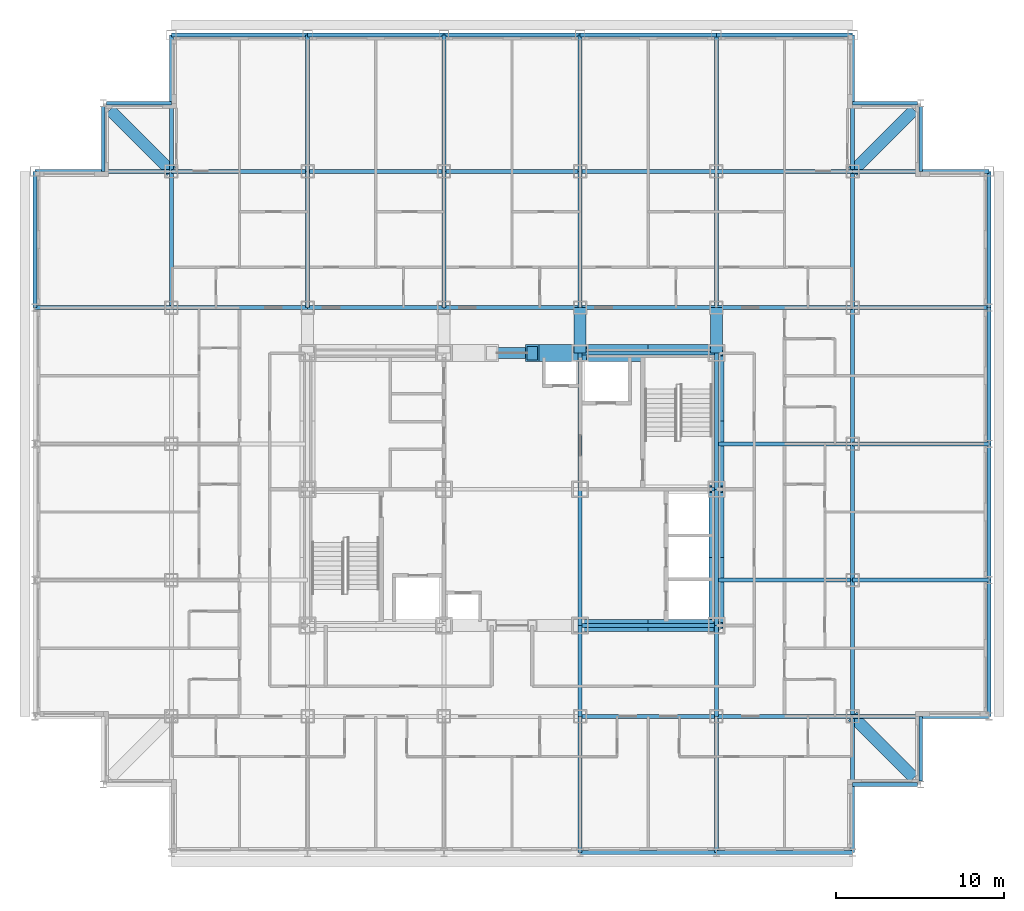
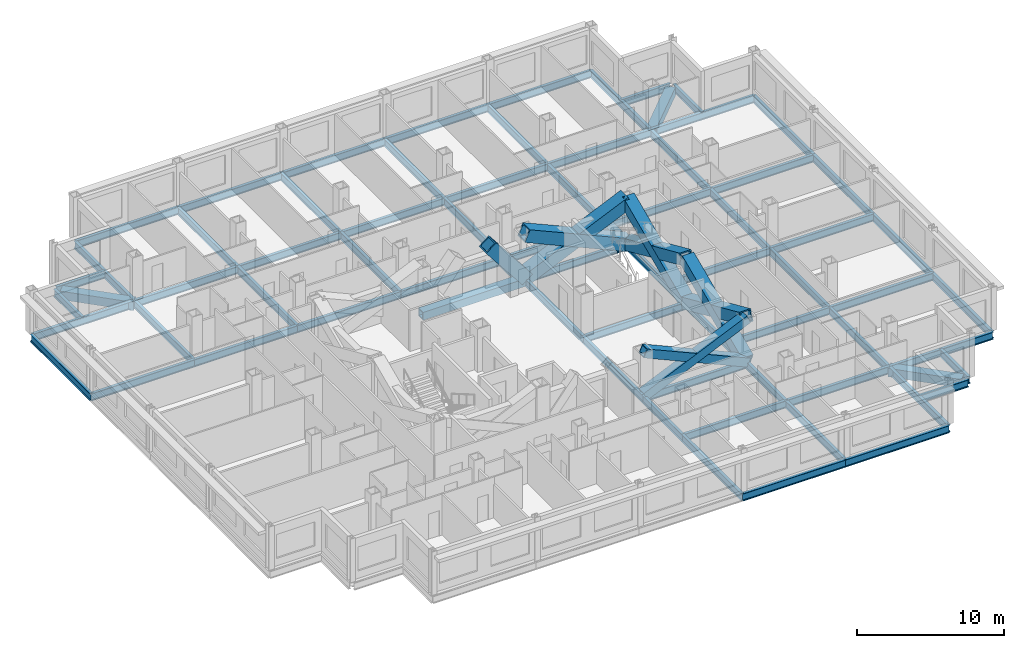
# One storey, part 2 of 12: 72 beams, 9 members.
"""IFC4 building model written with IfcOpenShell, lengths in metres."""

from ifc_helpers import new_model, si_unit, direction, frame, origin, origin_2d, place, context, subcontext, project, spatial, hollow_rectangle, i_section, extrude, material, material_profile, profile_set, type_object, element, save


model = new_model("IFC4")

# Units and contexts
model_context = context("Model", 3, precision=1e-05, world=origin(), true_north=direction((0.0, 1.0)))
body_context = subcontext(model_context, "Body", "Model", "MODEL_VIEW")
ifc_project = project(units=[si_unit("LENGTHUNIT", "METRE"), si_unit("AREAUNIT", "SQUARE_METRE"), si_unit("VOLUMEUNIT", "CUBIC_METRE"), si_unit("PLANEANGLEUNIT", "RADIAN"), si_unit("MASSUNIT", "GRAM", prefix="KILO")], contexts=[model_context])

# Site, building, storey
site_placement = place(None, origin())
site = spatial("IfcSite", under=ifc_project, at=site_placement, CompositionType="ELEMENT")
building_placement = place(site_placement, origin())
building = spatial("IfcBuilding", under=site, at=building_placement, Name="Kopane Lantern Tower", CompositionType="ELEMENT")
storey_placement = place(building_placement, frame((0.0, 0.0, 174.0)))
storey = spatial("IfcBuildingStorey", under=building, at=storey_placement, Name="L44", CompositionType="ELEMENT", Elevation=174.0)

# Members
ifc_material_1 = material(Name="Steel S355JR", Category="steel")
ifc_material_profile_1 = material_profile(ifc_material_1, hollow_rectangle(XDim=1.0, YDim=1.0, WallThickness=0.10009765625, at=origin_2d()), Name="BOX 1000x1000x100")
ifc_profile_set_1 = profile_set([ifc_material_profile_1], Name="Steel S355JR")
member_type_1 = type_object("IfcMemberType", Name="BRACE BOX 1000x1000x100", PredefinedType="BRACE", material=ifc_profile_set_1)
member_placement = place(storey_placement, frame((32.39990234375, 40.5, -0.2099609375), z_axis=(-0.620698858423, 0.0, 0.784049059149), x_axis=(0.0, -1.0, 0.0)))
element("IfcMember", 1, at=member_placement, inside=storey, type_object=member_type_1, Name="Core brace L44", PredefinedType="BRACE", context=body_context, shape_type="SweptSolid", body=[
    extrude(hollow_rectangle(XDim=1.0, YDim=1.0, WallThickness=0.10009765625, at=origin_2d()), origin(), (0.0, 0.0, 1.0), 4.59130859375),
])
for number, where, z_axis, x_axis, name in (
    (2, (32.39990234375, 40.5, -0.2099609375), (0.913819498983, 0.0, 0.406120577265), (0.0, 1.0, 0.0), "Core brace L44"),
    (3, (40.5, 40.5, -0.2099609375), (-0.913819498983, 0.0, 0.406120577265), (0.0, -1.0, 0.0), "Core brace L44"),
):
    element("IfcMember", number, at=place(storey_placement, frame(where, z_axis=z_axis, x_axis=x_axis)), inside=storey, type_object=member_type_1, Name=name, PredefinedType="BRACE", context=body_context, shape_type="SweptSolid", body=[
        extrude(hollow_rectangle(XDim=1.0, YDim=1.0, WallThickness=0.10009765625, at=origin_2d()), origin(), (0.0, 0.0, 1.0), 8.864013671875),
    ])
ifc_material_2 = material(Name="Steel S355JR", Category="steel")
ifc_material_profile_2 = material_profile(ifc_material_2, hollow_rectangle(XDim=0.699951171875, YDim=0.699951171875, WallThickness=0.06005859375, at=origin_2d()), Name="BOX 700x700x60")
ifc_profile_set_2 = profile_set([ifc_material_profile_2], Name="Steel S355JR")
member_type_2 = type_object("IfcMemberType", Name="BRACE BOX 700x700x60", PredefinedType="BRACE", material=ifc_profile_set_2)
for number, where, z_axis, x_axis, name in (
    (4, (32.39990234375, 24.300048828125, -0.2099609375), (0.913819498983, 0.0, 0.406120577265), (0.0, 1.0, 0.0), "Core brace L44"),
    (5, (40.5, 24.300048828125, -0.2099609375), (-0.913819498983, 0.0, 0.406120577265), (0.0, -1.0, 0.0), "Core brace L44"),
):
    element("IfcMember", number, at=place(storey_placement, frame(where, z_axis=z_axis, x_axis=x_axis)), inside=storey, type_object=member_type_2, Name=name, PredefinedType="BRACE", context=body_context, shape_type="SweptSolid", body=[
        extrude(hollow_rectangle(XDim=0.699951171875, YDim=0.699951171875, WallThickness=0.06005859375, at=origin_2d()), origin(), (0.0, 0.0, 1.0), 8.864013671875),
    ])
ifc_material_3 = material(Name="Steel S355JR", Category="steel")
ifc_material_profile_3 = material_profile(ifc_material_3, hollow_rectangle(XDim=0.89990234375, YDim=0.89990234375, WallThickness=0.090087890625, at=origin_2d()), Name="BOX 900x900x90")
ifc_profile_set_3 = profile_set([ifc_material_profile_3], Name="Steel S355JR")
member_type_3 = type_object("IfcMemberType", Name="BRACE BOX 900x900x90", PredefinedType="BRACE", material=ifc_profile_set_3)
for number, where, z_axis, x_axis, name in (
    (6, (40.5, 24.300048828125, -0.2099609375), (0.0, 0.913814956047, 0.406130799256), (-1.0, 0.0, 0.0), "Core brace L44"),
    (7, (40.5, 32.39990234375, -0.2099609375), (0.0, -0.913814956047, 0.406130799256), (1.0, 0.0, 0.0), "Core brace L44"),
):
    element("IfcMember", number, at=place(storey_placement, frame(where, z_axis=z_axis, x_axis=x_axis)), inside=storey, type_object=member_type_3, Name=name, PredefinedType="BRACE", context=body_context, shape_type="SweptSolid", body=[
        extrude(hollow_rectangle(XDim=0.89990234375, YDim=0.89990234375, WallThickness=0.090087890625, at=origin_2d()), origin(), (0.0, 0.0, 1.0), 8.86376953125),
    ])
for number, where, z_axis, x_axis, name in (
    (8, (40.5, 32.39990234375, -0.2099609375), (0.0, 0.913819498983, 0.406120577265), (-1.0, 0.0, 0.0), "Core brace L44"),
    (9, (40.5, 40.5, -0.2099609375), (0.0, -0.913819498983, 0.406120577265), (1.0, 0.0, 0.0), "Core brace L44"),
):
    element("IfcMember", number, at=place(storey_placement, frame(where, z_axis=z_axis, x_axis=x_axis)), inside=storey, type_object=member_type_3, Name=name, PredefinedType="BRACE", context=body_context, shape_type="SweptSolid", body=[
        extrude(hollow_rectangle(XDim=0.89990234375, YDim=0.89990234375, WallThickness=0.090087890625, at=origin_2d()), origin(), (0.0, 0.0, 1.0), 8.864013671875),
    ])

# Beams
ifc_material_4 = material(Name="Steel S355JR", Category="steel")
ifc_material_profile_4 = material_profile(ifc_material_4, i_section(OverallWidth=0.22900390625, OverallDepth=0.6123046875, WebThickness=0.011962890625, FlangeThickness=0.01953125, FilletRadius=0.0126953125, at=origin_2d()), Name="UB 610x229x125")
ifc_profile_set_4 = profile_set([ifc_material_profile_4], Name="Steel S355JR")
beam_type_1 = type_object("IfcBeamType", Name="CORE BEAM UB 610x229x125", PredefinedType="BEAM", material=ifc_profile_set_4)
beam_1_placement = place(storey_placement, frame((32.39990234375, 24.300048828125, -0.51611328125), z_axis=(0.0, 1.0, 0.0), x_axis=(-1.0, 0.0, 0.0)))
element("IfcBeam", 10, at=beam_1_placement, inside=storey, type_object=beam_type_1, Name="Core Beam L44", PredefinedType="BEAM", context=body_context, shape_type="SweptSolid", body=[
    extrude(i_section(OverallWidth=0.22900390625, OverallDepth=0.6123046875, WebThickness=0.011962890625, FlangeThickness=0.01953125, FilletRadius=0.0126953125, at=origin_2d()), origin(), (0.0, 0.0, 1.0), 8.099853515625),
])
for number, where, z_axis, x_axis, name in (
    (11, (32.39990234375, 32.39990234375, -0.51611328125), (0.0, 1.0, 0.0), (-1.0, 0.0, 0.0), "Core Beam L44"),
    (12, (32.39990234375, 32.39990234375, -0.51611328125), (1.0, 0.0, 0.0), (0.0, 1.0, 0.0), "Core Beam L44"),
):
    element("IfcBeam", number, at=place(storey_placement, frame(where, z_axis=z_axis, x_axis=x_axis)), inside=storey, type_object=beam_type_1, Name=name, PredefinedType="BEAM", context=body_context, shape_type="SweptSolid", body=[
        extrude(i_section(OverallWidth=0.22900390625, OverallDepth=0.6123046875, WebThickness=0.011962890625, FlangeThickness=0.01953125, FilletRadius=0.0126953125, at=origin_2d()), origin(), (0.0, 0.0, 1.0), 8.10009765625),
    ])
ifc_material_5 = material(Name="Steel S355JR", Category="steel")
ifc_material_profile_5 = material_profile(ifc_material_5, hollow_rectangle(XDim=0.699951171875, YDim=0.699951171875, WallThickness=0.06005859375, at=origin_2d()), Name="BOX 700x700x60")
ifc_profile_set_5 = profile_set([ifc_material_profile_5], Name="Steel S355JR")
beam_type_2 = type_object("IfcBeamType", Name="CORNER TIE BEAM BOX 700x700x60", PredefinedType="BEAM", material=ifc_profile_set_5)
for number, where, z_axis, x_axis, name in (
    (13, (4.447509765625, 54.952392578125, -0.56005859375), (0.70713041325, -0.707083148333, 0.0), (0.707083148333, 0.70713041325, 0.0), "Corner Tie Beam L44"),
    (14, (52.25244140625, 15.24755859375, -0.56005859375), (-0.707106781187, 0.707106781187, 0.0), (-0.707106781187, -0.707106781187, 0.0), "Corner Tie Beam L44"),
    (15, (52.25244140625, 54.952392578125, -0.56005859375), (-0.707106781187, -0.707106781187, 0.0), (0.707106781187, -0.707106781187, 0.0), "Corner Tie Beam L44"),
):
    element("IfcBeam", number, at=place(storey_placement, frame(where, z_axis=z_axis, x_axis=x_axis)), inside=storey, type_object=beam_type_2, Name=name, PredefinedType="BEAM", context=body_context, shape_type="SweptSolid", body=[
        extrude(hollow_rectangle(XDim=0.699951171875, YDim=0.699951171875, WallThickness=0.06005859375, at=origin_2d()), origin(), (0.0, 0.0, 1.0), 5.165283203125),
    ])
ifc_material_6 = material(Name="Steel S355JR", Category="steel")
ifc_material_profile_6 = material_profile(ifc_material_6, i_section(OverallWidth=0.22900390625, OverallDepth=0.6123046875, WebThickness=0.011962890625, FlangeThickness=0.01953125, FilletRadius=0.0126953125, at=origin_2d()), Name="UB 610x229x125")
ifc_profile_set_6 = profile_set([ifc_material_profile_6], Name="Steel S355JR")
beam_type_3 = type_object("IfcBeamType", Name="EDGE BEAM UB 610x229x125", PredefinedType="BEAM", material=ifc_profile_set_6)
beam_2_placement = place(storey_placement, frame((4.050048828125, 55.146484375, -0.51611328125), z_axis=(0.0, -1.0, 0.0), x_axis=(1.0, 0.0, 0.0)))
element("IfcBeam", 16, at=beam_2_placement, inside=storey, type_object=beam_type_3, Name="Edge Beam L44", PredefinedType="BEAM", context=body_context, shape_type="SweptSolid", body=[
    extrude(i_section(OverallWidth=0.22900390625, OverallDepth=0.6123046875, WebThickness=0.011962890625, FlangeThickness=0.01953125, FilletRadius=0.0126953125, at=origin_2d()), origin(), (0.0, 0.0, 1.0), 3.846435546875),
])
beam_3_placement = place(storey_placement, frame((4.25341796875, 55.35009765625, -0.51611328125), z_axis=(1.0, 0.0, 0.0), x_axis=(0.0, 1.0, 0.0)))
element("IfcBeam", 17, at=beam_3_placement, inside=storey, type_object=beam_type_3, Name="Edge Beam L44", PredefinedType="BEAM", context=body_context, shape_type="SweptSolid", body=[
    extrude(i_section(OverallWidth=0.22900390625, OverallDepth=0.6123046875, WebThickness=0.011962890625, FlangeThickness=0.01953125, FilletRadius=0.0126953125, at=origin_2d()), origin(), (0.0, 0.0, 1.0), 3.8466796875),
])
for number, where, z_axis, x_axis, name in (
    (18, (52.446533203125, 14.85009765625, -0.51611328125), (-1.0, 0.0, 0.0), (0.0, -1.0, 0.0), "Edge Beam L44"),
    (19, (52.446533203125, 55.35009765625, -0.51611328125), (-1.0, 0.0, 0.0), (0.0, -1.0, 0.0), "Edge Beam L44"),
    (20, (52.64990234375, 15.053466796875, -0.51611328125), (0.0, 1.0, 0.0), (-1.0, 0.0, 0.0), "Edge Beam L44"),
    (21, (52.64990234375, 55.146484375, -0.51611328125), (0.0, -1.0, 0.0), (1.0, 0.0, 0.0), "Edge Beam L44"),
):
    element("IfcBeam", number, at=place(storey_placement, frame(where, z_axis=z_axis, x_axis=x_axis)), inside=storey, type_object=beam_type_3, Name=name, PredefinedType="BEAM", context=body_context, shape_type="SweptSolid", body=[
        extrude(i_section(OverallWidth=0.22900390625, OverallDepth=0.6123046875, WebThickness=0.011962890625, FlangeThickness=0.01953125, FilletRadius=0.0126953125, at=origin_2d()), origin(), (0.0, 0.0, 1.0), 3.846435546875),
    ])
ifc_material_7 = material(Name="Steel S355JR", Category="steel")
ifc_material_profile_7 = material_profile(ifc_material_7, hollow_rectangle(XDim=0.699951171875, YDim=0.699951171875, WallThickness=0.06005859375, at=origin_2d()), Name="BOX 700x700x60")
ifc_profile_set_7 = profile_set([ifc_material_profile_7], Name="Steel S355JR")
beam_type_4 = type_object("IfcBeamType", Name="GIRDER BOX 700x700x60", PredefinedType="BEAM", material=ifc_profile_set_7)
for number, where, z_axis, x_axis, name in (
    (22, (32.39990234375, 40.5, -0.56005859375), (0.0, 1.0, 0.0), (-1.0, 0.0, 0.0), "Girder L44"),
    (23, (40.5, 40.5, -0.56005859375), (0.0, 1.0, 0.0), (-1.0, 0.0, 0.0), "Girder L44"),
):
    element("IfcBeam", number, at=place(storey_placement, frame(where, z_axis=z_axis, x_axis=x_axis)), inside=storey, type_object=beam_type_4, Name=name, PredefinedType="BEAM", context=body_context, shape_type="SweptSolid", body=[
        extrude(hollow_rectangle(XDim=0.699951171875, YDim=0.699951171875, WallThickness=0.06005859375, at=origin_2d()), origin(), (0.0, 0.0, 1.0), 2.699951171875),
    ])
ifc_material_8 = material(Name="Steel S355JR", Category="steel")
ifc_material_profile_8 = material_profile(ifc_material_8, i_section(OverallWidth=0.22900390625, OverallDepth=0.6123046875, WebThickness=0.011962890625, FlangeThickness=0.01953125, FilletRadius=0.0126953125, at=origin_2d()), Name="UB 610x229x125")
ifc_profile_set_8 = profile_set([ifc_material_profile_8], Name="Steel S355JR")
beam_type_5 = type_object("IfcBeamType", Name="GIRDER UB 610x229x125", PredefinedType="BEAM", material=ifc_profile_set_8)
for number, where, z_axis, x_axis, name in (
    (24, (0.0, 43.199951171875, -0.51611328125), (0.0, 1.0, 0.0), (-1.0, 0.0, 0.0), "Girder L44"),
    (25, (0.0, 43.199951171875, -0.51611328125), (1.0, 0.0, 0.0), (0.0, 1.0, 0.0), "Girder L44"),
    (26, (0.0, 51.300048828125, -0.51611328125), (1.0, 0.0, 0.0), (0.0, 1.0, 0.0), "Girder L44"),
    (27, (8.10009765625, 43.199951171875, -0.51611328125), (0.0, 1.0, 0.0), (-1.0, 0.0, 0.0), "Girder L44"),
):
    element("IfcBeam", number, at=place(storey_placement, frame(where, z_axis=z_axis, x_axis=x_axis)), inside=storey, type_object=beam_type_5, Name=name, PredefinedType="BEAM", context=body_context, shape_type="SweptSolid", body=[
        extrude(i_section(OverallWidth=0.22900390625, OverallDepth=0.6123046875, WebThickness=0.011962890625, FlangeThickness=0.01953125, FilletRadius=0.0126953125, at=origin_2d()), origin(), (0.0, 0.0, 1.0), 8.10009765625),
    ])
for number, where, z_axis, x_axis, name in (
    (28, (8.10009765625, 43.199951171875, -0.51611328125), (1.0, 0.0, 0.0), (0.0, 1.0, 0.0), "Girder L44"),
    (29, (8.10009765625, 51.300048828125, -0.51611328125), (0.0, 1.0, 0.0), (-1.0, 0.0, 0.0), "Girder L44"),
    (30, (8.10009765625, 51.300048828125, -0.51611328125), (1.0, 0.0, 0.0), (0.0, 1.0, 0.0), "Girder L44"),
    (31, (8.10009765625, 59.39990234375, -0.51611328125), (1.0, 0.0, 0.0), (0.0, 1.0, 0.0), "Girder L44"),
):
    element("IfcBeam", number, at=place(storey_placement, frame(where, z_axis=z_axis, x_axis=x_axis)), inside=storey, type_object=beam_type_5, Name=name, PredefinedType="BEAM", context=body_context, shape_type="SweptSolid", body=[
        extrude(i_section(OverallWidth=0.22900390625, OverallDepth=0.6123046875, WebThickness=0.011962890625, FlangeThickness=0.01953125, FilletRadius=0.0126953125, at=origin_2d()), origin(), (0.0, 0.0, 1.0), 8.099853515625),
    ])
for number, where, z_axis, x_axis, name in (
    (32, (16.199951171875, 43.199951171875, -0.51611328125), (0.0, 1.0, 0.0), (-1.0, 0.0, 0.0), "Girder L44"),
    (33, (16.199951171875, 43.199951171875, -0.51611328125), (1.0, 0.0, 0.0), (0.0, 1.0, 0.0), "Girder L44"),
):
    element("IfcBeam", number, at=place(storey_placement, frame(where, z_axis=z_axis, x_axis=x_axis)), inside=storey, type_object=beam_type_5, Name=name, PredefinedType="BEAM", context=body_context, shape_type="SweptSolid", body=[
        extrude(i_section(OverallWidth=0.22900390625, OverallDepth=0.6123046875, WebThickness=0.011962890625, FlangeThickness=0.01953125, FilletRadius=0.0126953125, at=origin_2d()), origin(), (0.0, 0.0, 1.0), 8.10009765625),
    ])
beam_4_placement = place(storey_placement, frame((16.199951171875, 51.300048828125, -0.51611328125), z_axis=(0.0, 1.0, 0.0), x_axis=(-1.0, 0.0, 0.0)))
element("IfcBeam", 34, at=beam_4_placement, inside=storey, type_object=beam_type_5, Name="Girder L44", PredefinedType="BEAM", context=body_context, shape_type="SweptSolid", body=[
    extrude(i_section(OverallWidth=0.22900390625, OverallDepth=0.6123046875, WebThickness=0.011962890625, FlangeThickness=0.01953125, FilletRadius=0.0126953125, at=origin_2d()), origin(), (0.0, 0.0, 1.0), 8.099853515625),
])
for number, where, z_axis, x_axis, name in (
    (35, (16.199951171875, 51.300048828125, -0.51611328125), (1.0, 0.0, 0.0), (0.0, 1.0, 0.0), "Girder L44"),
    (36, (16.199951171875, 59.39990234375, -0.51611328125), (1.0, 0.0, 0.0), (0.0, 1.0, 0.0), "Girder L44"),
    (37, (24.300048828125, 43.199951171875, -0.51611328125), (0.0, 1.0, 0.0), (-1.0, 0.0, 0.0), "Girder L44"),
):
    element("IfcBeam", number, at=place(storey_placement, frame(where, z_axis=z_axis, x_axis=x_axis)), inside=storey, type_object=beam_type_5, Name=name, PredefinedType="BEAM", context=body_context, shape_type="SweptSolid", body=[
        extrude(i_section(OverallWidth=0.22900390625, OverallDepth=0.6123046875, WebThickness=0.011962890625, FlangeThickness=0.01953125, FilletRadius=0.0126953125, at=origin_2d()), origin(), (0.0, 0.0, 1.0), 8.10009765625),
    ])
for number, where, z_axis, x_axis, name in (
    (38, (24.300048828125, 43.199951171875, -0.51611328125), (1.0, 0.0, 0.0), (0.0, 1.0, 0.0), "Girder L44"),
    (39, (24.300048828125, 51.300048828125, -0.51611328125), (0.0, 1.0, 0.0), (-1.0, 0.0, 0.0), "Girder L44"),
    (40, (24.300048828125, 51.300048828125, -0.51611328125), (1.0, 0.0, 0.0), (0.0, 1.0, 0.0), "Girder L44"),
    (41, (24.300048828125, 59.39990234375, -0.51611328125), (1.0, 0.0, 0.0), (0.0, 1.0, 0.0), "Girder L44"),
    (42, (32.39990234375, 10.800048828125, -0.51611328125), (0.0, 1.0, 0.0), (-1.0, 0.0, 0.0), "Girder L44"),
):
    element("IfcBeam", number, at=place(storey_placement, frame(where, z_axis=z_axis, x_axis=x_axis)), inside=storey, type_object=beam_type_5, Name=name, PredefinedType="BEAM", context=body_context, shape_type="SweptSolid", body=[
        extrude(i_section(OverallWidth=0.22900390625, OverallDepth=0.6123046875, WebThickness=0.011962890625, FlangeThickness=0.01953125, FilletRadius=0.0126953125, at=origin_2d()), origin(), (0.0, 0.0, 1.0), 8.099853515625),
    ])
beam_5_placement = place(storey_placement, frame((32.39990234375, 10.800048828125, -0.51611328125), z_axis=(1.0, 0.0, 0.0), x_axis=(0.0, 1.0, 0.0)))
element("IfcBeam", 43, at=beam_5_placement, inside=storey, type_object=beam_type_5, Name="Girder L44", PredefinedType="BEAM", context=body_context, shape_type="SweptSolid", body=[
    extrude(i_section(OverallWidth=0.22900390625, OverallDepth=0.6123046875, WebThickness=0.011962890625, FlangeThickness=0.01953125, FilletRadius=0.0126953125, at=origin_2d()), origin(), (0.0, 0.0, 1.0), 8.10009765625),
])
beam_6_placement = place(storey_placement, frame((32.39990234375, 18.89990234375, -0.51611328125), z_axis=(0.0, 1.0, 0.0), x_axis=(-1.0, 0.0, 0.0)))
element("IfcBeam", 44, at=beam_6_placement, inside=storey, type_object=beam_type_5, Name="Girder L44", PredefinedType="BEAM", context=body_context, shape_type="SweptSolid", body=[
    extrude(i_section(OverallWidth=0.22900390625, OverallDepth=0.6123046875, WebThickness=0.011962890625, FlangeThickness=0.01953125, FilletRadius=0.0126953125, at=origin_2d()), origin(), (0.0, 0.0, 1.0), 5.400146484375),
])
for number, where, z_axis, x_axis, name in (
    (45, (32.39990234375, 18.89990234375, -0.51611328125), (1.0, 0.0, 0.0), (0.0, 1.0, 0.0), "Girder L44"),
    (46, (32.39990234375, 24.300048828125, -0.51611328125), (1.0, 0.0, 0.0), (0.0, 1.0, 0.0), "Girder L44"),
    (47, (32.39990234375, 40.5, -0.51611328125), (1.0, 0.0, 0.0), (0.0, 1.0, 0.0), "Girder L44"),
    (48, (32.39990234375, 43.199951171875, -0.51611328125), (0.0, 1.0, 0.0), (-1.0, 0.0, 0.0), "Girder L44"),
    (49, (32.39990234375, 43.199951171875, -0.51611328125), (1.0, 0.0, 0.0), (0.0, 1.0, 0.0), "Girder L44"),
):
    element("IfcBeam", number, at=place(storey_placement, frame(where, z_axis=z_axis, x_axis=x_axis)), inside=storey, type_object=beam_type_5, Name=name, PredefinedType="BEAM", context=body_context, shape_type="SweptSolid", body=[
        extrude(i_section(OverallWidth=0.22900390625, OverallDepth=0.6123046875, WebThickness=0.011962890625, FlangeThickness=0.01953125, FilletRadius=0.0126953125, at=origin_2d()), origin(), (0.0, 0.0, 1.0), 8.10009765625),
    ])
beam_7_placement = place(storey_placement, frame((32.39990234375, 51.300048828125, -0.51611328125), z_axis=(0.0, 1.0, 0.0), x_axis=(-1.0, 0.0, 0.0)))
element("IfcBeam", 50, at=beam_7_placement, inside=storey, type_object=beam_type_5, Name="Girder L44", PredefinedType="BEAM", context=body_context, shape_type="SweptSolid", body=[
    extrude(i_section(OverallWidth=0.22900390625, OverallDepth=0.6123046875, WebThickness=0.011962890625, FlangeThickness=0.01953125, FilletRadius=0.0126953125, at=origin_2d()), origin(), (0.0, 0.0, 1.0), 8.099853515625),
])
for number, where, z_axis, x_axis, name in (
    (51, (32.39990234375, 51.300048828125, -0.51611328125), (1.0, 0.0, 0.0), (0.0, 1.0, 0.0), "Girder L44"),
    (52, (32.39990234375, 59.39990234375, -0.51611328125), (1.0, 0.0, 0.0), (0.0, 1.0, 0.0), "Girder L44"),
):
    element("IfcBeam", number, at=place(storey_placement, frame(where, z_axis=z_axis, x_axis=x_axis)), inside=storey, type_object=beam_type_5, Name=name, PredefinedType="BEAM", context=body_context, shape_type="SweptSolid", body=[
        extrude(i_section(OverallWidth=0.22900390625, OverallDepth=0.6123046875, WebThickness=0.011962890625, FlangeThickness=0.01953125, FilletRadius=0.0126953125, at=origin_2d()), origin(), (0.0, 0.0, 1.0), 8.10009765625),
    ])
beam_8_placement = place(storey_placement, frame((40.5, 10.800048828125, -0.51611328125), z_axis=(0.0, 1.0, 0.0), x_axis=(-1.0, 0.0, 0.0)))
element("IfcBeam", 53, at=beam_8_placement, inside=storey, type_object=beam_type_5, Name="Girder L44", PredefinedType="BEAM", context=body_context, shape_type="SweptSolid", body=[
    extrude(i_section(OverallWidth=0.22900390625, OverallDepth=0.6123046875, WebThickness=0.011962890625, FlangeThickness=0.01953125, FilletRadius=0.0126953125, at=origin_2d()), origin(), (0.0, 0.0, 1.0), 8.099853515625),
])
beam_9_placement = place(storey_placement, frame((40.5, 10.800048828125, -0.51611328125), z_axis=(1.0, 0.0, 0.0), x_axis=(0.0, 1.0, 0.0)))
element("IfcBeam", 54, at=beam_9_placement, inside=storey, type_object=beam_type_5, Name="Girder L44", PredefinedType="BEAM", context=body_context, shape_type="SweptSolid", body=[
    extrude(i_section(OverallWidth=0.22900390625, OverallDepth=0.6123046875, WebThickness=0.011962890625, FlangeThickness=0.01953125, FilletRadius=0.0126953125, at=origin_2d()), origin(), (0.0, 0.0, 1.0), 8.10009765625),
])
beam_10_placement = place(storey_placement, frame((40.5, 18.89990234375, -0.51611328125), z_axis=(0.0, 1.0, 0.0), x_axis=(-1.0, 0.0, 0.0)))
element("IfcBeam", 55, at=beam_10_placement, inside=storey, type_object=beam_type_5, Name="Girder L44", PredefinedType="BEAM", context=body_context, shape_type="SweptSolid", body=[
    extrude(i_section(OverallWidth=0.22900390625, OverallDepth=0.6123046875, WebThickness=0.011962890625, FlangeThickness=0.01953125, FilletRadius=0.0126953125, at=origin_2d()), origin(), (0.0, 0.0, 1.0), 5.400146484375),
])
beam_11_placement = place(storey_placement, frame((40.5, 18.89990234375, -0.51611328125), z_axis=(1.0, 0.0, 0.0), x_axis=(0.0, 1.0, 0.0)))
element("IfcBeam", 56, at=beam_11_placement, inside=storey, type_object=beam_type_5, Name="Girder L44", PredefinedType="BEAM", context=body_context, shape_type="SweptSolid", body=[
    extrude(i_section(OverallWidth=0.22900390625, OverallDepth=0.6123046875, WebThickness=0.011962890625, FlangeThickness=0.01953125, FilletRadius=0.0126953125, at=origin_2d()), origin(), (0.0, 0.0, 1.0), 8.10009765625),
])
beam_12_placement = place(storey_placement, frame((40.5, 24.300048828125, -0.51611328125), z_axis=(0.0, 1.0, 0.0), x_axis=(-1.0, 0.0, 0.0)))
element("IfcBeam", 57, at=beam_12_placement, inside=storey, type_object=beam_type_5, Name="Girder L44", PredefinedType="BEAM", context=body_context, shape_type="SweptSolid", body=[
    extrude(i_section(OverallWidth=0.22900390625, OverallDepth=0.6123046875, WebThickness=0.011962890625, FlangeThickness=0.01953125, FilletRadius=0.0126953125, at=origin_2d()), origin(), (0.0, 0.0, 1.0), 8.099853515625),
])
for number, where, z_axis, x_axis, name in (
    (58, (40.5, 27.0, -0.51611328125), (1.0, 0.0, 0.0), (0.0, 1.0, 0.0), "Girder L44"),
    (59, (40.5, 32.39990234375, -0.51611328125), (0.0, 1.0, 0.0), (-1.0, 0.0, 0.0), "Girder L44"),
    (60, (40.5, 35.10009765625, -0.51611328125), (1.0, 0.0, 0.0), (0.0, 1.0, 0.0), "Girder L44"),
    (61, (40.5, 43.199951171875, -0.51611328125), (0.0, 1.0, 0.0), (-1.0, 0.0, 0.0), "Girder L44"),
    (62, (40.5, 43.199951171875, -0.51611328125), (1.0, 0.0, 0.0), (0.0, 1.0, 0.0), "Girder L44"),
):
    element("IfcBeam", number, at=place(storey_placement, frame(where, z_axis=z_axis, x_axis=x_axis)), inside=storey, type_object=beam_type_5, Name=name, PredefinedType="BEAM", context=body_context, shape_type="SweptSolid", body=[
        extrude(i_section(OverallWidth=0.22900390625, OverallDepth=0.6123046875, WebThickness=0.011962890625, FlangeThickness=0.01953125, FilletRadius=0.0126953125, at=origin_2d()), origin(), (0.0, 0.0, 1.0), 8.10009765625),
    ])
beam_13_placement = place(storey_placement, frame((40.5, 51.300048828125, -0.51611328125), z_axis=(0.0, 1.0, 0.0), x_axis=(-1.0, 0.0, 0.0)))
element("IfcBeam", 63, at=beam_13_placement, inside=storey, type_object=beam_type_5, Name="Girder L44", PredefinedType="BEAM", context=body_context, shape_type="SweptSolid", body=[
    extrude(i_section(OverallWidth=0.22900390625, OverallDepth=0.6123046875, WebThickness=0.011962890625, FlangeThickness=0.01953125, FilletRadius=0.0126953125, at=origin_2d()), origin(), (0.0, 0.0, 1.0), 8.099853515625),
])
for number, where, z_axis, x_axis, name in (
    (64, (40.5, 51.300048828125, -0.51611328125), (1.0, 0.0, 0.0), (0.0, 1.0, 0.0), "Girder L44"),
    (65, (40.5, 59.39990234375, -0.51611328125), (1.0, 0.0, 0.0), (0.0, 1.0, 0.0), "Girder L44"),
):
    element("IfcBeam", number, at=place(storey_placement, frame(where, z_axis=z_axis, x_axis=x_axis)), inside=storey, type_object=beam_type_5, Name=name, PredefinedType="BEAM", context=body_context, shape_type="SweptSolid", body=[
        extrude(i_section(OverallWidth=0.22900390625, OverallDepth=0.6123046875, WebThickness=0.011962890625, FlangeThickness=0.01953125, FilletRadius=0.0126953125, at=origin_2d()), origin(), (0.0, 0.0, 1.0), 8.10009765625),
    ])
beam_14_placement = place(storey_placement, frame((48.60009765625, 10.800048828125, -0.51611328125), z_axis=(0.0, 1.0, 0.0), x_axis=(-1.0, 0.0, 0.0)))
element("IfcBeam", 66, at=beam_14_placement, inside=storey, type_object=beam_type_5, Name="Girder L44", PredefinedType="BEAM", context=body_context, shape_type="SweptSolid", body=[
    extrude(i_section(OverallWidth=0.22900390625, OverallDepth=0.6123046875, WebThickness=0.011962890625, FlangeThickness=0.01953125, FilletRadius=0.0126953125, at=origin_2d()), origin(), (0.0, 0.0, 1.0), 8.099853515625),
])
beam_15_placement = place(storey_placement, frame((48.60009765625, 18.89990234375, -0.51611328125), z_axis=(0.0, 1.0, 0.0), x_axis=(-1.0, 0.0, 0.0)))
element("IfcBeam", 67, at=beam_15_placement, inside=storey, type_object=beam_type_5, Name="Girder L44", PredefinedType="BEAM", context=body_context, shape_type="SweptSolid", body=[
    extrude(i_section(OverallWidth=0.22900390625, OverallDepth=0.6123046875, WebThickness=0.011962890625, FlangeThickness=0.01953125, FilletRadius=0.0126953125, at=origin_2d()), origin(), (0.0, 0.0, 1.0), 8.10009765625),
])
beam_16_placement = place(storey_placement, frame((48.60009765625, 18.89990234375, -0.51611328125), z_axis=(1.0, 0.0, 0.0), x_axis=(0.0, 1.0, 0.0)))
element("IfcBeam", 68, at=beam_16_placement, inside=storey, type_object=beam_type_5, Name="Girder L44", PredefinedType="BEAM", context=body_context, shape_type="SweptSolid", body=[
    extrude(i_section(OverallWidth=0.22900390625, OverallDepth=0.6123046875, WebThickness=0.011962890625, FlangeThickness=0.01953125, FilletRadius=0.0126953125, at=origin_2d()), origin(), (0.0, 0.0, 1.0), 8.099853515625),
])
beam_17_placement = place(storey_placement, frame((48.60009765625, 27.0, -0.51611328125), z_axis=(0.0, 1.0, 0.0), x_axis=(-1.0, 0.0, 0.0)))
element("IfcBeam", 69, at=beam_17_placement, inside=storey, type_object=beam_type_5, Name="Girder L44", PredefinedType="BEAM", context=body_context, shape_type="SweptSolid", body=[
    extrude(i_section(OverallWidth=0.22900390625, OverallDepth=0.6123046875, WebThickness=0.011962890625, FlangeThickness=0.01953125, FilletRadius=0.0126953125, at=origin_2d()), origin(), (0.0, 0.0, 1.0), 8.10009765625),
])
for number, where, z_axis, x_axis, name in (
    (70, (48.60009765625, 27.0, -0.51611328125), (1.0, 0.0, 0.0), (0.0, 1.0, 0.0), "Girder L44"),
    (71, (48.60009765625, 35.10009765625, -0.51611328125), (0.0, 1.0, 0.0), (-1.0, 0.0, 0.0), "Girder L44"),
    (72, (48.60009765625, 35.10009765625, -0.51611328125), (1.0, 0.0, 0.0), (0.0, 1.0, 0.0), "Girder L44"),
):
    element("IfcBeam", number, at=place(storey_placement, frame(where, z_axis=z_axis, x_axis=x_axis)), inside=storey, type_object=beam_type_5, Name=name, PredefinedType="BEAM", context=body_context, shape_type="SweptSolid", body=[
        extrude(i_section(OverallWidth=0.22900390625, OverallDepth=0.6123046875, WebThickness=0.011962890625, FlangeThickness=0.01953125, FilletRadius=0.0126953125, at=origin_2d()), origin(), (0.0, 0.0, 1.0), 8.099853515625),
    ])
beam_18_placement = place(storey_placement, frame((48.60009765625, 43.199951171875, -0.51611328125), z_axis=(0.0, 1.0, 0.0), x_axis=(-1.0, 0.0, 0.0)))
element("IfcBeam", 73, at=beam_18_placement, inside=storey, type_object=beam_type_5, Name="Girder L44", PredefinedType="BEAM", context=body_context, shape_type="SweptSolid", body=[
    extrude(i_section(OverallWidth=0.22900390625, OverallDepth=0.6123046875, WebThickness=0.011962890625, FlangeThickness=0.01953125, FilletRadius=0.0126953125, at=origin_2d()), origin(), (0.0, 0.0, 1.0), 8.10009765625),
])
for number, where, z_axis, x_axis, name in (
    (74, (48.60009765625, 43.199951171875, -0.51611328125), (1.0, 0.0, 0.0), (0.0, 1.0, 0.0), "Girder L44"),
    (75, (48.60009765625, 51.300048828125, -0.51611328125), (0.0, 1.0, 0.0), (-1.0, 0.0, 0.0), "Girder L44"),
    (76, (48.60009765625, 51.300048828125, -0.51611328125), (1.0, 0.0, 0.0), (0.0, 1.0, 0.0), "Girder L44"),
):
    element("IfcBeam", number, at=place(storey_placement, frame(where, z_axis=z_axis, x_axis=x_axis)), inside=storey, type_object=beam_type_5, Name=name, PredefinedType="BEAM", context=body_context, shape_type="SweptSolid", body=[
        extrude(i_section(OverallWidth=0.22900390625, OverallDepth=0.6123046875, WebThickness=0.011962890625, FlangeThickness=0.01953125, FilletRadius=0.0126953125, at=origin_2d()), origin(), (0.0, 0.0, 1.0), 8.099853515625),
    ])
for number, where, z_axis, x_axis, name in (
    (77, (56.699951171875, 18.89990234375, -0.51611328125), (0.0, 1.0, 0.0), (-1.0, 0.0, 0.0), "Girder L44"),
    (78, (56.699951171875, 27.0, -0.51611328125), (0.0, 1.0, 0.0), (-1.0, 0.0, 0.0), "Girder L44"),
):
    element("IfcBeam", number, at=place(storey_placement, frame(where, z_axis=z_axis, x_axis=x_axis)), inside=storey, type_object=beam_type_5, Name=name, PredefinedType="BEAM", context=body_context, shape_type="SweptSolid", body=[
        extrude(i_section(OverallWidth=0.22900390625, OverallDepth=0.6123046875, WebThickness=0.011962890625, FlangeThickness=0.01953125, FilletRadius=0.0126953125, at=origin_2d()), origin(), (0.0, 0.0, 1.0), 8.10009765625),
    ])
beam_19_placement = place(storey_placement, frame((56.699951171875, 35.10009765625, -0.51611328125), z_axis=(0.0, 1.0, 0.0), x_axis=(-1.0, 0.0, 0.0)))
element("IfcBeam", 79, at=beam_19_placement, inside=storey, type_object=beam_type_5, Name="Girder L44", PredefinedType="BEAM", context=body_context, shape_type="SweptSolid", body=[
    extrude(i_section(OverallWidth=0.22900390625, OverallDepth=0.6123046875, WebThickness=0.011962890625, FlangeThickness=0.01953125, FilletRadius=0.0126953125, at=origin_2d()), origin(), (0.0, 0.0, 1.0), 8.099853515625),
])
beam_20_placement = place(storey_placement, frame((56.699951171875, 43.199951171875, -0.51611328125), z_axis=(0.0, 1.0, 0.0), x_axis=(-1.0, 0.0, 0.0)))
element("IfcBeam", 80, at=beam_20_placement, inside=storey, type_object=beam_type_5, Name="Girder L44", PredefinedType="BEAM", context=body_context, shape_type="SweptSolid", body=[
    extrude(i_section(OverallWidth=0.22900390625, OverallDepth=0.6123046875, WebThickness=0.011962890625, FlangeThickness=0.01953125, FilletRadius=0.0126953125, at=origin_2d()), origin(), (0.0, 0.0, 1.0), 8.10009765625),
])
ifc_material_9 = material(Name="Steel S355JR", Category="steel")
ifc_material_profile_9 = material_profile(ifc_material_9, hollow_rectangle(XDim=0.64990234375, YDim=0.64990234375, WallThickness=0.070068359375, at=origin_2d()), Name="BOX 650x650x70")
ifc_profile_set_9 = profile_set([ifc_material_profile_9], Name="Steel S355JR")
beam_type_6 = type_object("IfcBeamType", Name="LINK BEAM BOX 650x650x70", PredefinedType="BEAM", material=ifc_profile_set_9)
beam_21_placement = place(storey_placement, frame((24.300048828125, 40.5, -0.534912109375), z_axis=(1.0, 0.0, 0.0), x_axis=(0.0, 1.0, 0.0)))
element("IfcBeam", 81, at=beam_21_placement, inside=storey, type_object=beam_type_6, Name="Link Beam L44", PredefinedType="BEAM", context=body_context, shape_type="SweptSolid", body=[
    extrude(hollow_rectangle(XDim=0.64990234375, YDim=0.64990234375, WallThickness=0.070068359375, at=origin_2d()), origin(), (0.0, 0.0, 1.0), 8.099853515625),
])

save(model, "model.ifc")
